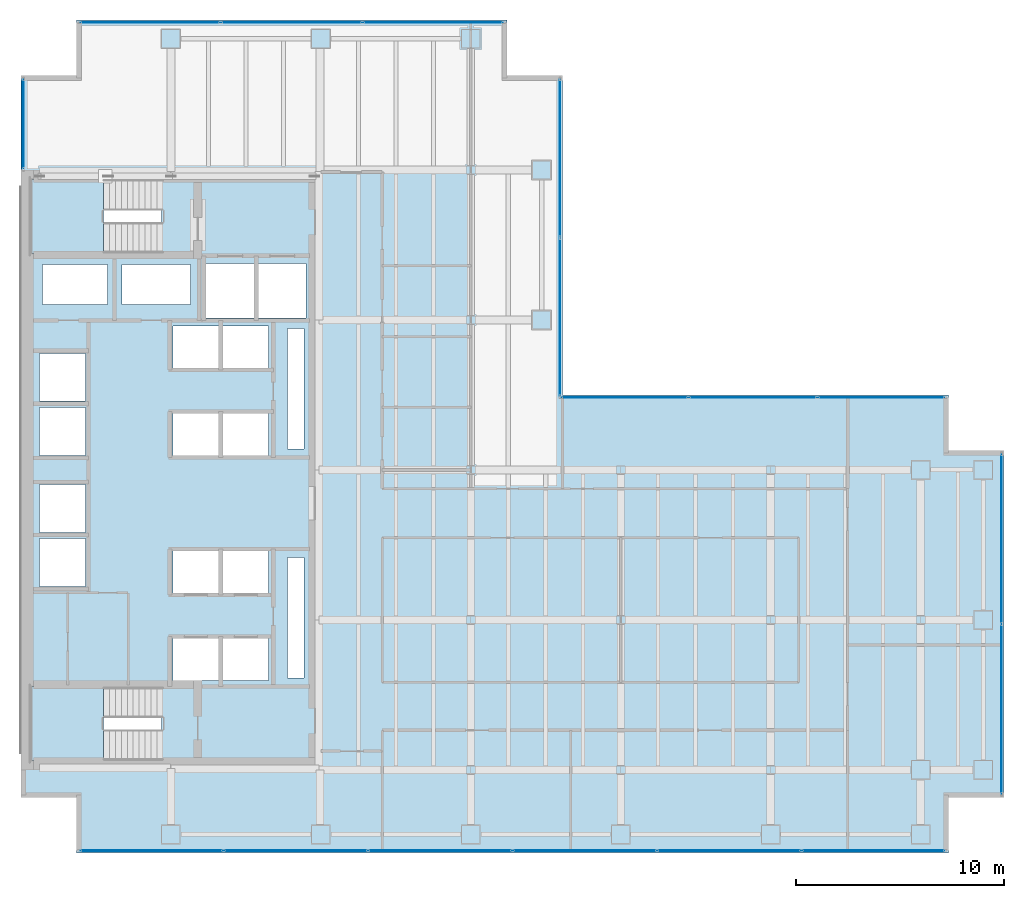
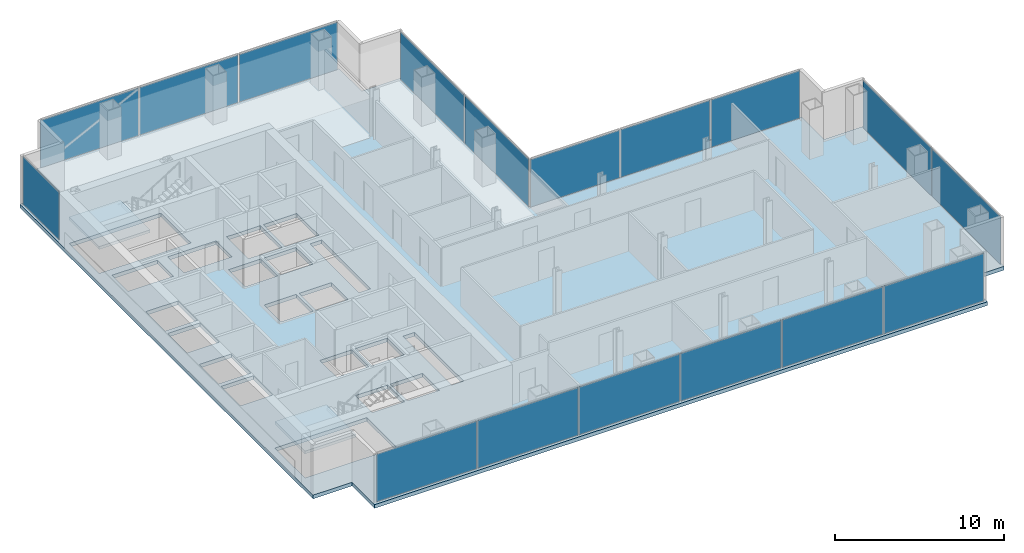
# One storey, part 19 of 23: 17 plates, 3 slabs, 20 openings, 8 elements without a shape of their own.
"""IFC4 building model written with IfcOpenShell, lengths in metres."""

from ifc_helpers import new_model, si_unit, direction, frame, origin, origin_2d, place, context, subcontext, project, spatial, polyline, rectangle, outline, extrude, material, layer, layer_set, type_object, element, aggregate, save


model = new_model("IFC4")

# Units and contexts
model_context = context("Model", 3, precision=1e-05, world=origin(), true_north=direction((0.0, 1.0)))
body_context = subcontext(model_context, "Body", "Model", "MODEL_VIEW")
ifc_project = project(units=[si_unit("LENGTHUNIT", "METRE"), si_unit("AREAUNIT", "SQUARE_METRE"), si_unit("VOLUMEUNIT", "CUBIC_METRE"), si_unit("PLANEANGLEUNIT", "RADIAN"), si_unit("MASSUNIT", "GRAM", prefix="KILO")], contexts=[model_context])

# Site, building, storey
site_placement = place(None, origin())
site = spatial("IfcSite", under=ifc_project, at=site_placement, CompositionType="ELEMENT")
building_placement = place(site_placement, origin())
building = spatial("IfcBuilding", under=site, at=building_placement, Name="Cobrela Telecom Tower", CompositionType="ELEMENT")
storey_placement = place(building_placement, frame((0.0, 0.0, 102.199951171875)))
storey = spatial("IfcBuildingStorey", under=building, at=storey_placement, Name="L25", CompositionType="ELEMENT", Elevation=102.199951171875)

# Curtain wall, plate
ifc_material_1 = material(Name="Anodized Bronze Aluminium 6063-T6", Category="aluminium")
curtain_wall_type = type_object("IfcCurtainWallType", Name="CW-SYS-TEL", PredefinedType="USERDEFINED", material=ifc_material_1)
curtain_wall_1_placement = place(storey_placement, origin())
curtain_wall_1 = element("IfcCurtainWall", 1, at=curtain_wall_1_placement, inside=storey, type_object=curtain_wall_type, Name="L25 Unitised Bronze Curtain Wall 04", ObjectType="UNITISED CURTAIN WALL", PredefinedType="USERDEFINED")
ifc_material_2 = material(Name="Solar-Control Bronze Low-E Glass", Category="glass")
ifc_layer_1 = layer(ifc_material_2, 0.035888671875)
ifc_layer_set_1 = layer_set([ifc_layer_1], Name="Solar-Control Bronze Low-E Glass")
plate_type = type_object("IfcPlateType", Name="CW-SYS-TEL-PNL", PredefinedType="CURTAIN_PANEL", material=ifc_layer_set_1)
plate_1_placement = place(storey_placement, frame((0.1201171875, 38.205078125, 0.070068359375), z_axis=(0.0, 0.0, 1.0), x_axis=(0.0, 1.0, 0.0)))
plate_1 = element("IfcPlate", 2, at=plate_1_placement, type_object=plate_type, Name="CW-TEL panel 1.1", PredefinedType="CURTAIN_PANEL", context=body_context, shape_type="SweptSolid", body=[
    extrude(rectangle(XDim=4.260009765625, YDim=0.035888671875, at=origin_2d()), origin(), (0.0, 0.0, 1.0), 3.43994140625),
])
aggregate(curtain_wall_1, [plate_1])

# Curtain wall, plates
curtain_wall_2_placement = place(storey_placement, origin())
curtain_wall_2 = element("IfcCurtainWall", 3, at=curtain_wall_2_placement, inside=storey, type_object=curtain_wall_type, Name="L25 Unitised Bronze Curtain Wall 07", ObjectType="UNITISED CURTAIN WALL", PredefinedType="USERDEFINED")
plate_2_placement = place(storey_placement, frame((6.212158203125, 43.080078125, 0.070068359375), z_axis=(0.0, 0.0, 1.0), x_axis=(1.0, 0.0, 0.0)))
plate_2 = element("IfcPlate", 4, at=plate_2_placement, type_object=plate_type, Name="CW-TEL panel 1.1", PredefinedType="CURTAIN_PANEL", context=body_context, shape_type="SweptSolid", body=[
    extrude(rectangle(XDim=6.694091796875, YDim=0.035888671875, at=origin_2d()), origin(), (0.0, 0.0, 1.0), 3.43994140625),
])
plate_3_placement = place(storey_placement, frame((13.0, 43.080078125, 0.070068359375), z_axis=(0.0, 0.0, 1.0), x_axis=(1.0, 0.0, 0.0)))
plate_3 = element("IfcPlate", 5, at=plate_3_placement, type_object=plate_type, Name="CW-TEL panel 2.1", PredefinedType="CURTAIN_PANEL", context=body_context, shape_type="SweptSolid", body=[
    extrude(rectangle(XDim=6.731689453125, YDim=0.035888671875, at=origin_2d()), origin(), (0.0, 0.0, 1.0), 3.43994140625),
])
plate_4_placement = place(storey_placement, frame((19.787841796875, 43.080078125, 0.070068359375), z_axis=(0.0, 0.0, 1.0), x_axis=(1.0, 0.0, 0.0)))
plate_4 = element("IfcPlate", 6, at=plate_4_placement, type_object=plate_type, Name="CW-TEL panel 3.1", PredefinedType="CURTAIN_PANEL", context=body_context, shape_type="SweptSolid", body=[
    extrude(rectangle(XDim=6.694091796875, YDim=0.035888671875, at=origin_2d()), origin(), (0.0, 0.0, 1.0), 3.43994140625),
])
aggregate(curtain_wall_2, [plate_2, plate_3, plate_4])

curtain_wall_3_placement = place(storey_placement, origin())
curtain_wall_3 = element("IfcCurtainWall", 7, at=curtain_wall_3_placement, inside=storey, type_object=curtain_wall_type, Name="L25 Unitised Bronze Curtain Wall 10", ObjectType="UNITISED CURTAIN WALL", PredefinedType="USERDEFINED")
plate_5_placement = place(storey_placement, frame((25.8798828125, 36.558837890625, 0.070068359375), z_axis=(0.0, 0.0, 1.0), x_axis=(0.0, -1.0, 0.0)))
plate_5 = element("IfcPlate", 8, at=plate_5_placement, type_object=plate_type, Name="CW-TEL panel 1.1", PredefinedType="CURTAIN_PANEL", context=body_context, shape_type="SweptSolid", body=[
    extrude(rectangle(XDim=7.552490234375, YDim=0.035888671875, at=origin_2d()), origin(), (0.0, 0.0, 1.0), 3.43994140625),
])
plate_6_placement = place(storey_placement, frame((25.8798828125, 28.93115234375, 0.070068359375), z_axis=(0.0, 0.0, 1.0), x_axis=(0.0, -1.0, 0.0)))
plate_6 = element("IfcPlate", 9, at=plate_6_placement, type_object=plate_type, Name="CW-TEL panel 2.1", PredefinedType="CURTAIN_PANEL", context=body_context, shape_type="SweptSolid", body=[
    extrude(rectangle(XDim=7.552490234375, YDim=0.035888671875, at=origin_2d()), origin(), (0.0, 0.0, 1.0), 3.43994140625),
])
aggregate(curtain_wall_3, [plate_5, plate_6])

curtain_wall_4_placement = place(storey_placement, origin())
curtain_wall_4 = element("IfcCurtainWall", 10, at=curtain_wall_4_placement, inside=storey, type_object=curtain_wall_type, Name="L25 Unitised Bronze Curtain Wall 11", ObjectType="UNITISED CURTAIN WALL", PredefinedType="USERDEFINED")
plate_7_placement = place(storey_placement, frame((28.987060546875, 25.080078125, 0.070068359375), z_axis=(0.0, 0.0, 1.0), x_axis=(1.0, 0.0, 0.0)))
plate_7 = element("IfcPlate", 11, at=plate_7_placement, type_object=plate_type, Name="CW-TEL panel 1.1", PredefinedType="CURTAIN_PANEL", context=body_context, shape_type="SweptSolid", body=[
    extrude(rectangle(XDim=6.064208984375, YDim=0.035888671875, at=origin_2d()), origin(), (0.0, 0.0, 1.0), 3.43994140625),
])
plate_8_placement = place(storey_placement, frame((35.14501953125, 25.080078125, 0.070068359375), z_axis=(0.0, 0.0, 1.0), x_axis=(1.0, 0.0, 0.0)))
plate_8 = element("IfcPlate", 12, at=plate_8_placement, type_object=plate_type, Name="CW-TEL panel 2.1", PredefinedType="CURTAIN_PANEL", context=body_context, shape_type="SweptSolid", body=[
    extrude(rectangle(XDim=6.1015625, YDim=0.035888671875, at=origin_2d()), origin(), (0.0, 0.0, 1.0), 3.43994140625),
])
plate_9_placement = place(storey_placement, frame((41.302978515625, 25.080078125, 0.070068359375), z_axis=(0.0, 0.0, 1.0), x_axis=(1.0, 0.0, 0.0)))
plate_9 = element("IfcPlate", 13, at=plate_9_placement, type_object=plate_type, Name="CW-TEL panel 3.1", PredefinedType="CURTAIN_PANEL", context=body_context, shape_type="SweptSolid", body=[
    extrude(rectangle(XDim=6.064208984375, YDim=0.035888671875, at=origin_2d()), origin(), (0.0, 0.0, 1.0), 3.43994140625),
])
aggregate(curtain_wall_4, [plate_7, plate_8, plate_9])

curtain_wall_5_placement = place(storey_placement, origin())
curtain_wall_5 = element("IfcCurtainWall", 14, at=curtain_wall_5_placement, inside=storey, type_object=curtain_wall_type, Name="L25 Unitised Bronze Curtain Wall 14", ObjectType="UNITISED CURTAIN WALL", PredefinedType="USERDEFINED")
plate_10_placement = place(storey_placement, frame((47.080078125, 18.2861328125, 0.070068359375), z_axis=(0.0, 0.0, 1.0), x_axis=(0.0, -1.0, 0.0)))
plate_10 = element("IfcPlate", 15, at=plate_10_placement, type_object=plate_type, Name="CW-TEL panel 1.1", PredefinedType="CURTAIN_PANEL", context=body_context, shape_type="SweptSolid", body=[
    extrude(rectangle(XDim=8.097412109375, YDim=0.035888671875, at=origin_2d()), origin(), (0.0, 0.0, 1.0), 3.43994140625),
])
plate_11_placement = place(storey_placement, frame((47.080078125, 10.11376953125, 0.070068359375), z_axis=(0.0, 0.0, 1.0), x_axis=(0.0, -1.0, 0.0)))
plate_11 = element("IfcPlate", 16, at=plate_11_placement, type_object=plate_type, Name="CW-TEL panel 2.1", PredefinedType="CURTAIN_PANEL", context=body_context, shape_type="SweptSolid", body=[
    extrude(rectangle(XDim=8.097412109375, YDim=0.035888671875, at=origin_2d()), origin(), (0.0, 0.0, 1.0), 3.43994140625),
])
aggregate(curtain_wall_5, [plate_10, plate_11])

curtain_wall_6_placement = place(storey_placement, origin())
curtain_wall_6 = element("IfcCurtainWall", 17, at=curtain_wall_6_placement, inside=storey, type_object=curtain_wall_type, Name="L25 Unitised Bronze Curtain Wall 17", ObjectType="UNITISED CURTAIN WALL", PredefinedType="USERDEFINED")
plate_12_placement = place(storey_placement, frame((40.9228515625, 3.320068359375, 0.070068359375), z_axis=(0.0, 0.0, 1.0), x_axis=(-1.0, 0.0, 0.0)))
plate_12 = element("IfcPlate", 18, at=plate_12_placement, type_object=plate_type, Name="CW-TEL panel 1.1", PredefinedType="CURTAIN_PANEL", context=body_context, shape_type="SweptSolid", body=[
    extrude(rectangle(XDim=6.82421875, YDim=0.035888671875, at=origin_2d()), origin(), (0.0, 0.0, 1.0), 3.43994140625),
])
plate_13_placement = place(storey_placement, frame((34.0048828125, 3.320068359375, 0.070068359375), z_axis=(0.0, 0.0, 1.0), x_axis=(-1.0, 0.0, 0.0)))
plate_13 = element("IfcPlate", 19, at=plate_13_placement, type_object=plate_type, Name="CW-TEL panel 2.1", PredefinedType="CURTAIN_PANEL", context=body_context, shape_type="SweptSolid", body=[
    extrude(rectangle(XDim=6.861572265625, YDim=0.035888671875, at=origin_2d()), origin(), (0.0, 0.0, 1.0), 3.43994140625),
])
plate_14_placement = place(storey_placement, frame((27.068359375, 3.320068359375, 0.070068359375), z_axis=(0.0, 0.0, 1.0), x_axis=(-1.0, 0.0, 0.0)))
plate_14 = element("IfcPlate", 20, at=plate_14_placement, type_object=plate_type, Name="CW-TEL panel 3.1", PredefinedType="CURTAIN_PANEL", context=body_context, shape_type="SweptSolid", body=[
    extrude(rectangle(XDim=6.861572265625, YDim=0.035888671875, at=origin_2d()), origin(), (0.0, 0.0, 1.0), 3.43994140625),
])
plate_15_placement = place(storey_placement, frame((20.131591796875, 3.320068359375, 0.070068359375), z_axis=(0.0, 0.0, 1.0), x_axis=(-1.0, 0.0, 0.0)))
plate_15 = element("IfcPlate", 21, at=plate_15_placement, type_object=plate_type, Name="CW-TEL panel 4.1", PredefinedType="CURTAIN_PANEL", context=body_context, shape_type="SweptSolid", body=[
    extrude(rectangle(XDim=6.861572265625, YDim=0.035888671875, at=origin_2d()), origin(), (0.0, 0.0, 1.0), 3.43994140625),
])
plate_16_placement = place(storey_placement, frame((13.195068359375, 3.320068359375, 0.070068359375), z_axis=(0.0, 0.0, 1.0), x_axis=(-1.0, 0.0, 0.0)))
plate_16 = element("IfcPlate", 22, at=plate_16_placement, type_object=plate_type, Name="CW-TEL panel 5.1", PredefinedType="CURTAIN_PANEL", context=body_context, shape_type="SweptSolid", body=[
    extrude(rectangle(XDim=6.861572265625, YDim=0.035888671875, at=origin_2d()), origin(), (0.0, 0.0, 1.0), 3.43994140625),
])
plate_17_placement = place(storey_placement, frame((6.277099609375, 3.320068359375, 0.070068359375), z_axis=(0.0, 0.0, 1.0), x_axis=(-1.0, 0.0, 0.0)))
plate_17 = element("IfcPlate", 23, at=plate_17_placement, type_object=plate_type, Name="CW-TEL panel 6.1", PredefinedType="CURTAIN_PANEL", context=body_context, shape_type="SweptSolid", body=[
    extrude(rectangle(XDim=6.82421875, YDim=0.035888671875, at=origin_2d()), origin(), (0.0, 0.0, 1.0), 3.43994140625),
])
aggregate(curtain_wall_6, [plate_12, plate_13, plate_14, plate_15, plate_16, plate_17])

# Slab, openings
ifc_material_3 = material(Name="Concrete C40/50", Category="concrete")
ifc_layer_2 = layer(ifc_material_3, 0.27001953125)
ifc_layer_set_2 = layer_set([ifc_layer_2], Name="Concrete C40/50")
slab_type_1 = type_object("IfcSlabType", Name="SLAB-FLR-270", PredefinedType="FLOOR", material=ifc_layer_set_2)
slab_1_placement = place(storey_placement, frame((0.0, 0.0, -0.27001953125)))
slab_1 = element("IfcSlab", 24, at=slab_1_placement, inside=storey, type_object=slab_type_1, Name="L25 Structural Floor Slab", PredefinedType="FLOOR", context=body_context, shape_type="SweptSolid", body=[
    extrude(outline(polyline([(2.669921875, 3.199951171875), (44.530029296875, 3.199951171875), (44.530029296875, 5.8701171875), (47.199951171875, 5.8701171875), (47.199951171875, 22.530029296875), (44.530029296875, 22.530029296875), (44.530029296875, 25.199951171875), (26.0, 25.199951171875), (26.0, 40.530029296875), (23.330078125, 40.530029296875), (23.330078125, 43.199951171875), (2.669921875, 43.199951171875), (2.669921875, 40.530029296875), (0.0, 40.530029296875), (0.0, 5.8701171875), (2.669921875, 5.8701171875), (2.669921875, 3.199951171875)])), origin(), (0.0, 0.0, 1.0), 0.27001953125),
])
opening_1_placement = place(slab_1_placement, frame((0.0, 0.0, -0.02001953125)))
element("IfcOpeningElement", 25, at=opening_1_placement, cuts=slab_1, Name="Slab Shaft Opening SLAB-L25-MAIN.1", PredefinedType="OPENING", context=body_context, shape_type="SweptSolid", body=[
    extrude(outline(polyline([(8.89990234375, 28.89990234375), (11.199951171875, 28.89990234375), (11.199951171875, 31.5), (8.89990234375, 31.5), (8.89990234375, 28.89990234375)])), origin(), (0.0, 0.0, 1.0), 0.31005859375),
])
opening_2_placement = place(slab_1_placement, frame((0.0, 0.0, -0.02001953125)))
element("IfcOpeningElement", 26, at=opening_2_placement, cuts=slab_1, Name="Slab Shaft Opening SLAB-L25-MAIN.2", PredefinedType="OPENING", context=body_context, shape_type="SweptSolid", body=[
    extrude(outline(polyline([(11.39990234375, 28.89990234375), (13.699951171875, 28.89990234375), (13.699951171875, 31.5), (11.39990234375, 31.5), (11.39990234375, 28.89990234375)])), origin(), (0.0, 0.0, 1.0), 0.31005859375),
])
opening_3_placement = place(slab_1_placement, frame((0.0, 0.0, -0.02001953125)))
element("IfcOpeningElement", 27, at=opening_3_placement, cuts=slab_1, Name="Slab Shaft Opening SLAB-L25-MAIN.3", PredefinedType="OPENING", context=body_context, shape_type="SweptSolid", body=[
    extrude(outline(polyline([(7.300048828125, 22.300048828125), (9.5, 22.300048828125), (9.5, 24.300048828125), (7.300048828125, 24.300048828125), (7.300048828125, 22.300048828125)])), origin(), (0.0, 0.0, 1.0), 0.31005859375),
])
opening_4_placement = place(slab_1_placement, frame((0.0, 0.0, -0.02001953125)))
element("IfcOpeningElement", 28, at=opening_4_placement, cuts=slab_1, Name="Slab Shaft Opening SLAB-L25-MAIN.4", PredefinedType="OPENING", context=body_context, shape_type="SweptSolid", body=[
    extrude(outline(polyline([(9.699951171875, 22.300048828125), (11.89990234375, 22.300048828125), (11.89990234375, 24.300048828125), (9.699951171875, 24.300048828125), (9.699951171875, 22.300048828125)])), origin(), (0.0, 0.0, 1.0), 0.31005859375),
])
opening_5_placement = place(slab_1_placement, frame((0.0, 0.0, -0.02001953125)))
element("IfcOpeningElement", 29, at=opening_5_placement, cuts=slab_1, Name="Slab Shaft Opening SLAB-L25-MAIN.5", PredefinedType="OPENING", context=body_context, shape_type="SweptSolid", body=[
    extrude(outline(polyline([(7.300048828125, 26.5), (9.5, 26.5), (9.5, 28.5), (7.300048828125, 28.5), (7.300048828125, 26.5)])), origin(), (0.0, 0.0, 1.0), 0.31005859375),
])
opening_6_placement = place(slab_1_placement, frame((0.0, 0.0, -0.02001953125)))
element("IfcOpeningElement", 30, at=opening_6_placement, cuts=slab_1, Name="Slab Shaft Opening SLAB-L25-MAIN.6", PredefinedType="OPENING", context=body_context, shape_type="SweptSolid", body=[
    extrude(outline(polyline([(9.699951171875, 26.5), (11.89990234375, 26.5), (11.89990234375, 28.5), (9.699951171875, 28.5), (9.699951171875, 26.5)])), origin(), (0.0, 0.0, 1.0), 0.31005859375),
])
opening_7_placement = place(slab_1_placement, frame((0.0, 0.0, -0.02001953125)))
element("IfcOpeningElement", 31, at=opening_7_placement, cuts=slab_1, Name="Slab Shaft Opening SLAB-L25-MAIN.7", PredefinedType="OPENING", context=body_context, shape_type="SweptSolid", body=[
    extrude(outline(polyline([(7.300048828125, 15.699951171875), (9.5, 15.699951171875), (9.5, 17.699951171875), (7.300048828125, 17.699951171875), (7.300048828125, 15.699951171875)])), origin(), (0.0, 0.0, 1.0), 0.31005859375),
])
opening_8_placement = place(slab_1_placement, frame((0.0, 0.0, -0.02001953125)))
element("IfcOpeningElement", 32, at=opening_8_placement, cuts=slab_1, Name="Slab Shaft Opening SLAB-L25-MAIN.8", PredefinedType="OPENING", context=body_context, shape_type="SweptSolid", body=[
    extrude(outline(polyline([(9.699951171875, 15.699951171875), (11.89990234375, 15.699951171875), (11.89990234375, 17.699951171875), (9.699951171875, 17.699951171875), (9.699951171875, 15.699951171875)])), origin(), (0.0, 0.0, 1.0), 0.31005859375),
])
opening_9_placement = place(slab_1_placement, frame((0.0, 0.0, -0.02001953125)))
element("IfcOpeningElement", 33, at=opening_9_placement, cuts=slab_1, Name="Slab Shaft Opening SLAB-L25-MAIN.9", PredefinedType="OPENING", context=body_context, shape_type="SweptSolid", body=[
    extrude(outline(polyline([(7.300048828125, 11.5), (9.5, 11.5), (9.5, 13.5), (7.300048828125, 13.5), (7.300048828125, 11.5)])), origin(), (0.0, 0.0, 1.0), 0.31005859375),
])
opening_10_placement = place(slab_1_placement, frame((0.0, 0.0, -0.02001953125)))
element("IfcOpeningElement", 34, at=opening_10_placement, cuts=slab_1, Name="Slab Shaft Opening SLAB-L25-MAIN.10", PredefinedType="OPENING", context=body_context, shape_type="SweptSolid", body=[
    extrude(outline(polyline([(9.699951171875, 11.5), (11.89990234375, 11.5), (11.89990234375, 13.5), (9.699951171875, 13.5), (9.699951171875, 11.5)])), origin(), (0.0, 0.0, 1.0), 0.31005859375),
])
opening_11_placement = place(slab_1_placement, frame((0.0, 0.0, -0.02001953125)))
element("IfcOpeningElement", 35, at=opening_11_placement, cuts=slab_1, Name="Slab Shaft Opening SLAB-L25-MAIN.11", PredefinedType="OPENING", context=body_context, shape_type="SweptSolid", body=[
    extrude(outline(polyline([(0.89990234375, 16.0), (3.10009765625, 16.0), (3.10009765625, 18.300048828125), (0.89990234375, 18.300048828125), (0.89990234375, 16.0)])), origin(), (0.0, 0.0, 1.0), 0.31005859375),
])
opening_12_placement = place(slab_1_placement, frame((0.0, 0.0, -0.02001953125)))
element("IfcOpeningElement", 36, at=opening_12_placement, cuts=slab_1, Name="Slab Shaft Opening SLAB-L25-MAIN.12", PredefinedType="OPENING", context=body_context, shape_type="SweptSolid", body=[
    extrude(outline(polyline([(0.89990234375, 18.60009765625), (3.10009765625, 18.60009765625), (3.10009765625, 20.89990234375), (0.89990234375, 20.89990234375), (0.89990234375, 18.60009765625)])), origin(), (0.0, 0.0, 1.0), 0.31005859375),
])
opening_13_placement = place(slab_1_placement, frame((0.0, 0.0, -0.02001953125)))
element("IfcOpeningElement", 37, at=opening_13_placement, cuts=slab_1, Name="Slab Shaft Opening SLAB-L25-MAIN.13", PredefinedType="OPENING", context=body_context, shape_type="SweptSolid", body=[
    extrude(outline(polyline([(0.89990234375, 22.300048828125), (3.10009765625, 22.300048828125), (3.10009765625, 24.60009765625), (0.89990234375, 24.60009765625), (0.89990234375, 22.300048828125)])), origin(), (0.0, 0.0, 1.0), 0.31005859375),
])
opening_14_placement = place(slab_1_placement, frame((0.0, 0.0, -0.02001953125)))
element("IfcOpeningElement", 38, at=opening_14_placement, cuts=slab_1, Name="Slab Shaft Opening SLAB-L25-MAIN.14", PredefinedType="OPENING", context=body_context, shape_type="SweptSolid", body=[
    extrude(outline(polyline([(0.89990234375, 24.89990234375), (3.10009765625, 24.89990234375), (3.10009765625, 27.199951171875), (0.89990234375, 27.199951171875), (0.89990234375, 24.89990234375)])), origin(), (0.0, 0.0, 1.0), 0.31005859375),
])
opening_15_placement = place(slab_1_placement, frame((0.0, 0.0, -0.02001953125)))
element("IfcOpeningElement", 39, at=opening_15_placement, cuts=slab_1, Name="Slab Shaft Opening SLAB-L25-MAIN.15", PredefinedType="OPENING", context=body_context, shape_type="SweptSolid", body=[
    extrude(outline(polyline([(1.050048828125, 29.550048828125), (4.14990234375, 29.550048828125), (4.14990234375, 31.449951171875), (1.050048828125, 31.449951171875), (1.050048828125, 29.550048828125)])), origin(), (0.0, 0.0, 1.0), 0.31005859375),
])
opening_16_placement = place(slab_1_placement, frame((0.0, 0.0, -0.02001953125)))
element("IfcOpeningElement", 40, at=opening_16_placement, cuts=slab_1, Name="Slab Shaft Opening SLAB-L25-MAIN.16", PredefinedType="OPENING", context=body_context, shape_type="SweptSolid", body=[
    extrude(outline(polyline([(4.85009765625, 29.550048828125), (8.14990234375, 29.550048828125), (8.14990234375, 31.449951171875), (4.85009765625, 31.449951171875), (4.85009765625, 29.550048828125)])), origin(), (0.0, 0.0, 1.0), 0.31005859375),
])
opening_17_placement = place(slab_1_placement, frame((0.0, 0.0, -0.02001953125)))
element("IfcOpeningElement", 41, at=opening_17_placement, cuts=slab_1, Name="Slab Shaft Opening SLAB-L25-MAIN.17", PredefinedType="OPENING", context=body_context, shape_type="SweptSolid", body=[
    extrude(outline(polyline([(12.800048828125, 22.60009765625), (13.60009765625, 22.60009765625), (13.60009765625, 28.39990234375), (12.800048828125, 28.39990234375), (12.800048828125, 22.60009765625)])), origin(), (0.0, 0.0, 1.0), 0.31005859375),
])
opening_18_placement = place(slab_1_placement, frame((0.0, 0.0, -0.02001953125)))
element("IfcOpeningElement", 42, at=opening_18_placement, cuts=slab_1, Name="Slab Shaft Opening SLAB-L25-MAIN.18", PredefinedType="OPENING", context=body_context, shape_type="SweptSolid", body=[
    extrude(outline(polyline([(12.800048828125, 11.60009765625), (13.60009765625, 11.60009765625), (13.60009765625, 17.39990234375), (12.800048828125, 17.39990234375), (12.800048828125, 11.60009765625)])), origin(), (0.0, 0.0, 1.0), 0.31005859375),
])
opening_19_placement = place(slab_1_placement, frame((0.0, 0.0, -0.02001953125)))
element("IfcOpeningElement", 43, at=opening_19_placement, cuts=slab_1, Name="Slab Shaft Opening SLAB-L25-MAIN.19", PredefinedType="OPENING", context=body_context, shape_type="SweptSolid", body=[
    extrude(outline(polyline([(6.7548828125, 35.550048828125), (0.47998046875, 35.550048828125), (0.47998046875, 32.0), (6.7548828125, 32.0), (6.7548828125, 35.550048828125)])), origin(), (0.0, 0.0, 1.0), 0.31005859375),
])
opening_20_placement = place(slab_1_placement, frame((0.0, 0.0, -0.02001953125)))
element("IfcOpeningElement", 44, at=opening_20_placement, cuts=slab_1, Name="Slab Shaft Opening SLAB-L25-MAIN.20", PredefinedType="OPENING", context=body_context, shape_type="SweptSolid", body=[
    extrude(outline(polyline([(6.7548828125, 11.199951171875), (0.47998046875, 11.199951171875), (0.47998046875, 7.64990234375), (6.7548828125, 7.64990234375), (6.7548828125, 11.199951171875)])), origin(), (0.0, 0.0, 1.0), 0.31005859375),
])

# Stair, slab
stair_type = type_object("IfcStairType", Name="STAIR-CORE", PredefinedType="HALF_TURN_STAIR", material=ifc_material_3)
stair_1_placement = place(storey_placement, origin())
stair_1 = element("IfcStair", 45, at=stair_1_placement, inside=storey, type_object=stair_type, Name="L25 Smokeproof Exit Stair ST1", PredefinedType="HALF_TURN_STAIR")
ifc_layer_3 = layer(ifc_material_3, 0.199951171875)
ifc_layer_set_3 = layer_set([ifc_layer_3], Name="Concrete C40/50")
slab_type_2 = type_object("IfcSlabType", Name="SLAB-LAND-200", PredefinedType="LANDING", material=ifc_layer_set_3)
slab_2_placement = place(storey_placement, frame((0.0, 0.0, 1.72509765625)))
slab_2 = element("IfcSlab", 46, at=slab_2_placement, type_object=slab_type_2, Name="ST1 landing 1", PredefinedType="LANDING", context=body_context, shape_type="SweptSolid", body=[
    extrude(outline(polyline([(3.969970703125, 35.550048828125), (0.47998046875, 35.550048828125), (0.47998046875, 32.0), (3.969970703125, 32.0), (3.969970703125, 35.550048828125)])), origin(), (0.0, 0.0, 1.0), 0.199951171875),
])
aggregate(stair_1, [slab_2])

stair_2_placement = place(storey_placement, origin())
stair_2 = element("IfcStair", 47, at=stair_2_placement, inside=storey, type_object=stair_type, Name="L25 Smokeproof Exit Stair ST2", PredefinedType="HALF_TURN_STAIR")
slab_3_placement = place(storey_placement, frame((0.0, 0.0, 1.72509765625)))
slab_3 = element("IfcSlab", 48, at=slab_3_placement, type_object=slab_type_2, Name="ST2 landing 1", PredefinedType="LANDING", context=body_context, shape_type="SweptSolid", body=[
    extrude(outline(polyline([(3.969970703125, 11.199951171875), (0.47998046875, 11.199951171875), (0.47998046875, 7.64990234375), (3.969970703125, 7.64990234375), (3.969970703125, 11.199951171875)])), origin(), (0.0, 0.0, 1.0), 0.199951171875),
])
aggregate(stair_2, [slab_3])

save(model, "model.ifc")
